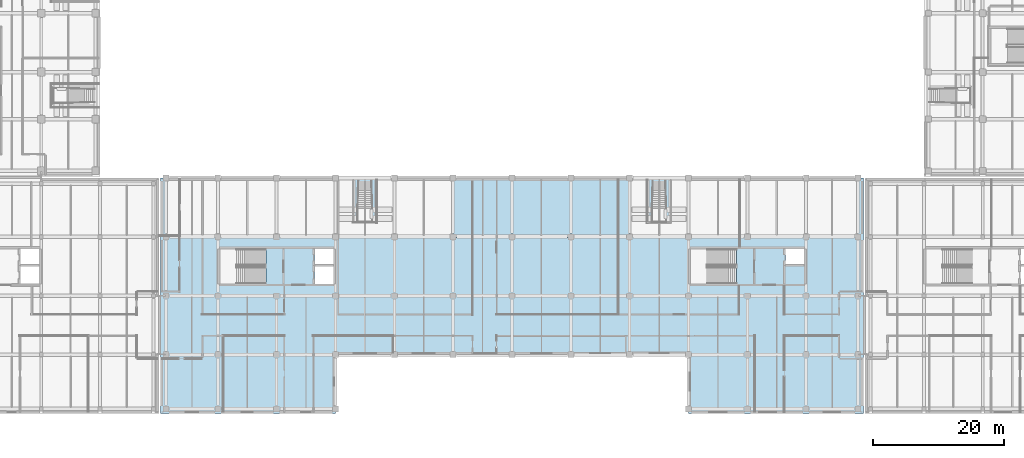
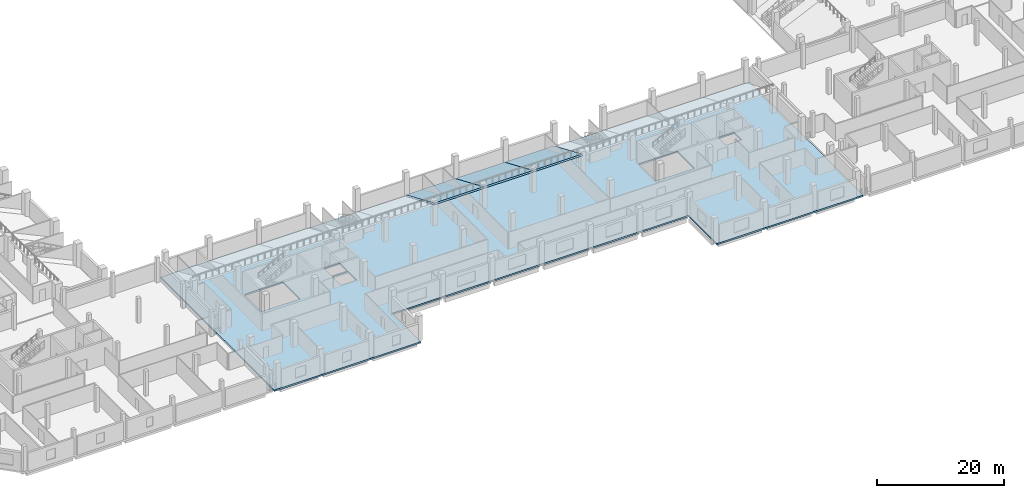
# One storey, part 44 of 100: 4 slabs.
"""IFC4 building model written with IfcOpenShell, lengths in metres."""

from ifc_helpers import new_model, si_unit, direction, frame, origin, place, context, subcontext, project, spatial, polyline, outline, extrude, material, layer, layer_set, type_object, element, save


model = new_model("IFC4")

# Units and contexts
model_context = context("Model", 3, precision=1e-05, world=origin(), true_north=direction((0.0, 1.0)))
body_context = subcontext(model_context, "Body", "Model", "MODEL_VIEW")
ifc_project = project(units=[si_unit("LENGTHUNIT", "METRE"), si_unit("AREAUNIT", "SQUARE_METRE"), si_unit("VOLUMEUNIT", "CUBIC_METRE"), si_unit("PLANEANGLEUNIT", "RADIAN"), si_unit("MASSUNIT", "GRAM", prefix="KILO"), si_unit("THERMODYNAMICTEMPERATUREUNIT", "KELVIN"), si_unit("POWERUNIT", "WATT")], contexts=[model_context])

# Site, building, storey
site_placement = place(None, origin())
site = spatial("IfcSite", under=ifc_project, at=site_placement, CompositionType="ELEMENT")
building_placement = place(site_placement, origin())
building = spatial("IfcBuilding", under=site, at=building_placement, Name="Sindhuravela Promenade Stadium", CompositionType="ELEMENT")
storey_placement = place(building_placement, frame((0.0, 0.0, 4.800048828125)))
storey = spatial("IfcBuildingStorey", under=building, at=storey_placement, Name="L01", CompositionType="ELEMENT", Elevation=4.800048828125)

# Slabs
ifc_material_1 = material(Name="Concrete M40", Category="concrete")
ifc_layer_1 = layer(ifc_material_1, 0.300048828125)
ifc_layer_set_1 = layer_set([ifc_layer_1], Name="Concrete M40")
slab_type_1 = type_object("IfcSlabType", Name="SL-FLR-300", PredefinedType="FLOOR", material=ifc_layer_set_1)
slab_placement = place(storey_placement, frame((0.0, 0.0, -0.300048828125)))
element("IfcSlab", 1, at=slab_placement, inside=storey, type_object=slab_type_1, Name="Floor slab SOUTH L01", PredefinedType="FLOOR", context=body_context, shape_type="SweptSolid", body=[
    extrude(outline(polyline([(54.25, 9.0), (54.25, 0.0), (81.0, 0.0), (81.0, 9.0), (135.0, 9.0), (135.0, 0.0), (161.75, 0.0), (161.75, 36.0), (54.25, 36.0), (54.25, 9.0)]), holes=[polyline([(63.300048828125, 19.800048828125), (70.34912109375, 19.800048828125), (70.34912109375, 25.199951171875), (63.300048828125, 25.199951171875), (63.300048828125, 19.800048828125)]), polyline([(77.800048828125, 22.800048828125), (80.699951171875, 22.800048828125), (80.699951171875, 25.199951171875), (77.800048828125, 25.199951171875), (77.800048828125, 22.800048828125)]), polyline([(77.800048828125, 19.800048828125), (80.699951171875, 19.800048828125), (80.699951171875, 22.5), (77.800048828125, 22.5), (77.800048828125, 19.800048828125)]), polyline([(135.300048828125, 19.800048828125), (142.34912109375, 19.800048828125), (142.34912109375, 25.199951171875), (135.300048828125, 25.199951171875), (135.300048828125, 19.800048828125)]), polyline([(149.800048828125, 22.800048828125), (152.699951171875, 22.800048828125), (152.699951171875, 25.199951171875), (149.800048828125, 25.199951171875), (149.800048828125, 22.800048828125)])]), origin(), (0.0, 0.0, 1.0), 0.300048828125),
])
ifc_material_2 = material(Name="Precast concrete M50", Category="concrete")
ifc_layer_2 = layer(ifc_material_2, 0.2900390625)
ifc_layer_set_2 = layer_set([ifc_layer_2], Name="Precast concrete M50")
slab_type_2 = type_object("IfcSlabType", Name="SL-TR1-290", PredefinedType="USERDEFINED", material=ifc_layer_set_2)
for number, where, z_axis, x_axis, name in (
    (2, (108.0, 36.0, 0.199951171875), (0.0, 0.3933111809778274, 0.9194054137962352), (-1.0, 0.0, 0.0), "Stand lower tier South rear bay 28"),
    (3, (117.0, 36.0, 0.199951171875), (0.0, 0.3933111809778274, 0.9194054137962352), (-1.0, 0.0, 0.0), "Stand lower tier South rear bay 29"),
    (4, (126.0, 36.0, 0.199951171875), (0.0, 0.3933111809778274, 0.9194054137962352), (-1.0, 0.0, 0.0), "Stand lower tier South rear bay 30"),
):
    element("IfcSlab", number, at=place(storey_placement, frame(where, z_axis=z_axis, x_axis=x_axis)), inside=storey, type_object=slab_type_2, Name=name, ObjectType="SEATING TIER", PredefinedType="USERDEFINED", context=body_context, shape_type="SweptSolid", body=[
        extrude(outline(polyline([(0.0, 0.0), (9.0, 0.0), (9.0, 9.788935180225769), (0.0, 9.788935180225769), (0.0, 0.0)])), origin(), (0.0, 0.0, -1.0), 0.2900390625),
    ])

save(model, "model.ifc")
